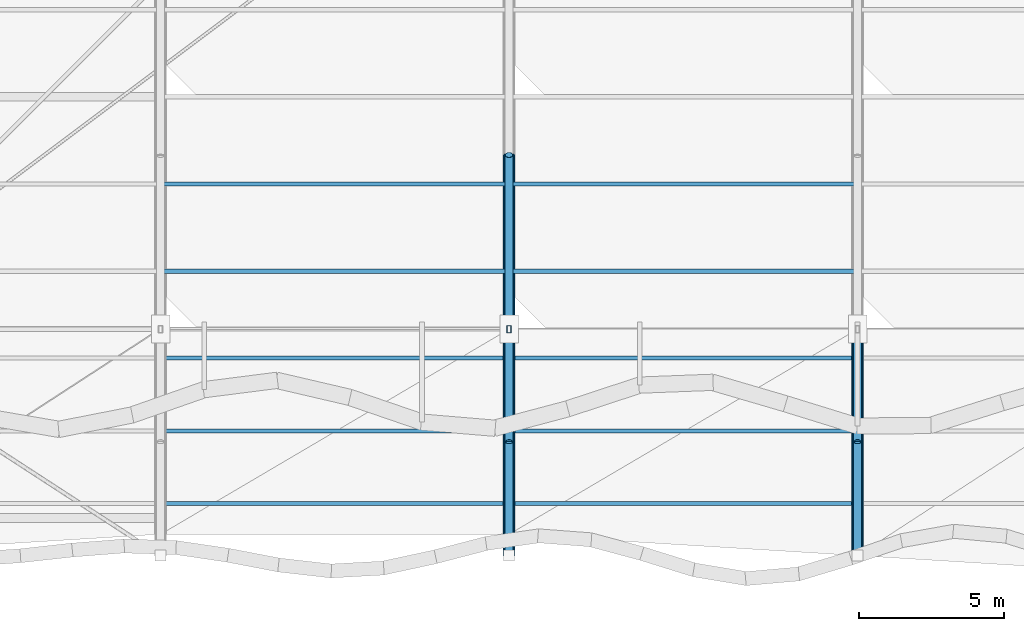
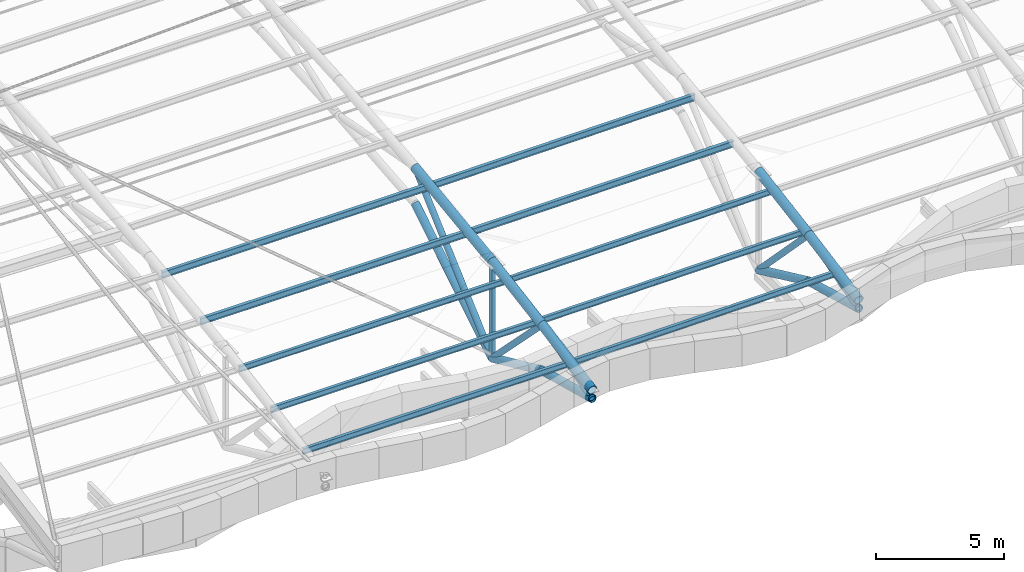
# One storey, part 7 of 29: 26 members.
"""IFC4 building model written with IfcOpenShell, lengths in metres."""

from ifc_helpers import new_model, si_unit, direction, frame, origin, origin_2d, place, context, subcontext, project, spatial, hollow_rectangle, hollow_circle, i_section, extrude, material, material_profile, profile_set, type_object, element, save


model = new_model("IFC4")

# Units and contexts
model_context = context("Model", 3, precision=1e-05, world=origin(), true_north=direction((0.0, 1.0)))
body_context = subcontext(model_context, "Body", "Model", "MODEL_VIEW")
ifc_project = project(units=[si_unit("LENGTHUNIT", "METRE"), si_unit("AREAUNIT", "SQUARE_METRE"), si_unit("VOLUMEUNIT", "CUBIC_METRE"), si_unit("PLANEANGLEUNIT", "RADIAN"), si_unit("MASSUNIT", "GRAM", prefix="KILO")], contexts=[model_context])

# Site, building, storey
site_placement = place(None, origin())
site = spatial("IfcSite", under=ifc_project, at=site_placement, CompositionType="ELEMENT")
building_placement = place(site_placement, origin())
building = spatial("IfcBuilding", under=site, at=building_placement, Name="Keelwater Ferry Terminal", CompositionType="ELEMENT")
storey_placement = place(building_placement, frame((0.0, 0.0, 27.89990234375)))
storey = spatial("IfcBuildingStorey", under=building, at=storey_placement, Name="RF", CompositionType="ELEMENT", Elevation=27.89990234375)

# Members
ifc_material_1 = material(Name="Steel S355", Category="steel")
ifc_material_profile_1 = material_profile(ifc_material_1, hollow_circle(Radius=0.136474609375, WallThickness=0.012451171875, at=origin_2d()), Name="CHS 273x12.5")
ifc_profile_set_1 = profile_set([ifc_material_profile_1], Name="Steel S355")
member_type_1 = type_object("IfcMemberType", Name="BR2 CHS 273x12.5", PredefinedType="BRACE", material=ifc_profile_set_1)
member_1_placement = place(storey_placement, frame((72.0, 42.0, -13.0498046875), z_axis=(0.0, 0.742563535774, 0.669775630595), x_axis=(-1.0, 0.0, 0.0)))
element("IfcMember", 1, at=member_1_placement, inside=storey, type_object=member_type_1, Name="Structural Member MB-RF-0075", PredefinedType="BRACE", context=body_context, shape_type="SweptSolid", body=[
    extrude(hollow_circle(Radius=0.136474609375, WallThickness=0.012451171875, at=origin_2d()), origin(), (0.0, 0.0, 1.0), 8.080078125),
])
ifc_material_2 = material(Name="Steel S355", Category="steel")
ifc_material_profile_2 = material_profile(ifc_material_2, hollow_circle(Radius=0.136474609375, WallThickness=0.012451171875, at=origin_2d()), Name="CHS 273x12.5")
ifc_profile_set_2 = profile_set([ifc_material_profile_2], Name="Steel S355")
member_type_2 = type_object("IfcMemberType", Name="BR2E CHS 273x12.5", PredefinedType="BRACE", material=ifc_profile_set_2)
member_2_placement = place(storey_placement, frame((72.0, 34.199951171875, -10.245849609375), z_axis=(0.0, 0.959309065387, 0.282358136178), x_axis=(-1.0, 0.0, 0.0)))
element("IfcMember", 2, at=member_2_placement, inside=storey, type_object=member_type_2, Name="Structural Member MB-RF-0069", PredefinedType="BRACE", context=body_context, shape_type="SweptSolid", body=[
    extrude(hollow_circle(Radius=0.136474609375, WallThickness=0.012451171875, at=origin_2d()), origin(), (0.0, 0.0, 1.0), 4.065673828125),
])
member_3_placement = place(storey_placement, frame((72.0, 38.10009765625, -9.097900390625), z_axis=(0.0, 0.702408258848, -0.711774288593), x_axis=(-1.0, 0.0, 0.0)))
element("IfcMember", 3, at=member_3_placement, inside=storey, type_object=member_type_2, Name="Structural Member MB-RF-0072", PredefinedType="BRACE", context=body_context, shape_type="SweptSolid", body=[
    extrude(hollow_circle(Radius=0.136474609375, WallThickness=0.012451171875, at=origin_2d()), origin(), (0.0, 0.0, 1.0), 5.55224609375),
])
member_4_placement = place(storey_placement, frame((84.0, 34.199951171875, -10.162841796875), z_axis=(0.0, 0.959309065387, 0.282358136178), x_axis=(-1.0, 0.0, 0.0)))
element("IfcMember", 4, at=member_4_placement, inside=storey, type_object=member_type_2, Name="Structural Member MB-RF-0101", PredefinedType="BRACE", context=body_context, shape_type="SweptSolid", body=[
    extrude(hollow_circle(Radius=0.136474609375, WallThickness=0.012451171875, at=origin_2d()), origin(), (0.0, 0.0, 1.0), 4.065673828125),
])
member_5_placement = place(storey_placement, frame((84.0, 38.10009765625, -9.014892578125), z_axis=(0.0, 0.694974865293, -0.719034030218), x_axis=(-1.0, 0.0, 0.0)))
element("IfcMember", 5, at=member_5_placement, inside=storey, type_object=member_type_2, Name="Structural Member MB-RF-0104", PredefinedType="BRACE", context=body_context, shape_type="SweptSolid", body=[
    extrude(hollow_circle(Radius=0.136474609375, WallThickness=0.012451171875, at=origin_2d()), origin(), (0.0, 0.0, 1.0), 5.611572265625),
])
ifc_material_3 = material(Name="Steel S355", Category="steel")
ifc_material_profile_3 = material_profile(ifc_material_3, hollow_rectangle(XDim=0.14990234375, YDim=0.25, WallThickness=0.010009765625, at=origin_2d()), Name="RHS 250x150x10")
ifc_profile_set_3 = profile_set([ifc_material_profile_3], Name="Steel S355")
member_type_3 = type_object("IfcMemberType", Name="BR5 RHS 250x150x10", PredefinedType="BRACE", material=ifc_profile_set_3)
member_6_placement = place(storey_placement, frame((72.0, 42.0, -13.0498046875), z_axis=(0.0, 0.0, 1.0), x_axis=(1.0, 0.0, 0.0)))
element("IfcMember", 6, at=member_6_placement, inside=storey, type_object=member_type_3, Name="Structural Member MB-RF-0065", PredefinedType="BRACE", context=body_context, shape_type="SweptSolid", body=[
    extrude(hollow_rectangle(XDim=0.14990234375, YDim=0.25, WallThickness=0.010009765625, at=origin_2d()), origin(), (0.0, 0.0, 1.0), 4.601806640625),
])
ifc_material_4 = material(Name="Steel S355", Category="steel")
ifc_material_profile_4 = material_profile(ifc_material_4, i_section(OverallWidth=0.14990234375, OverallDepth=0.300048828125, WebThickness=0.007080078125, FlangeThickness=0.0107421875, at=origin_2d()), Name="IPE 300")
ifc_profile_set_4 = profile_set([ifc_material_profile_4], Name="Steel S355")
member_type_4 = type_object("IfcMemberType", Name="PR1 IPE 300", PredefinedType="PURLIN", material=ifc_profile_set_4)
for number, where, z_axis, x_axis, name in (
    (7, (60.0, 44.0, -8.307861328125), (0.999999303785, 0.0, -0.001180012199), (0.0, 1.0, 0.0), "Structural Member MB-RF-0275"),
    (8, (60.0, 47.0, -7.912841796875), (0.999999303785, 0.0, -0.001180012199), (0.0, 1.0, 0.0), "Structural Member MB-RF-0276"),
):
    element("IfcMember", number, at=place(storey_placement, frame(where, z_axis=z_axis, x_axis=x_axis)), inside=storey, type_object=member_type_4, Name=name, PredefinedType="PURLIN", context=body_context, shape_type="SweptSolid", body=[
        extrude(i_section(OverallWidth=0.14990234375, OverallDepth=0.300048828125, WebThickness=0.007080078125, FlangeThickness=0.0107421875, at=origin_2d()), origin(), (0.0, 0.0, 1.0), 12.0),
    ])
for number, where, z_axis, x_axis, name in (
    (9, (72.0, 44.0, -8.322021484375), (0.999976635798, 0.0, 0.006835777784), (0.0, 1.0, 0.0), "Structural Member MB-RF-0294"),
    (10, (72.0, 47.0, -7.927001953125), (0.999976635798, 0.0, 0.006835777784), (0.0, 1.0, 0.0), "Structural Member MB-RF-0295"),
):
    element("IfcMember", number, at=place(storey_placement, frame(where, z_axis=z_axis, x_axis=x_axis)), inside=storey, type_object=member_type_4, Name=name, PredefinedType="PURLIN", context=body_context, shape_type="SweptSolid", body=[
        extrude(i_section(OverallWidth=0.14990234375, OverallDepth=0.300048828125, WebThickness=0.007080078125, FlangeThickness=0.0107421875, at=origin_2d()), origin(), (0.0, 0.0, 1.0), 12.000244140625),
    ])
ifc_material_5 = material(Name="Steel S355", Category="steel")
ifc_material_profile_5 = material_profile(ifc_material_5, i_section(OverallWidth=0.135009765625, OverallDepth=0.27001953125, WebThickness=0.006591796875, FlangeThickness=0.01025390625, at=origin_2d()), Name="IPE 270")
ifc_profile_set_5 = profile_set([ifc_material_profile_5], Name="Steel S355")
member_type_5 = type_object("IfcMemberType", Name="PR2E IPE 270", PredefinedType="PURLIN", material=ifc_profile_set_5)
for number, where, z_axis, x_axis, name in (
    (11, (60.0, 36.0, -9.643798828125), (0.999999303785, 0.0, -0.001180012199), (0.0, 1.0, 0.0), "Structural Member MB-RF-0272"),
    (12, (60.0, 38.5, -9.181884765625), (0.999999204445, 0.0, -0.001261392226), (0.0, 1.0, 0.0), "Structural Member MB-RF-0273"),
    (13, (60.0, 41.0, -8.760986328125), (0.999999327586, 0.0, -0.001159667189), (0.0, 1.0, 0.0), "Structural Member MB-RF-0274"),
):
    element("IfcMember", number, at=place(storey_placement, frame(where, z_axis=z_axis, x_axis=x_axis)), inside=storey, type_object=member_type_5, Name=name, PredefinedType="PURLIN", context=body_context, shape_type="SweptSolid", body=[
        extrude(i_section(OverallWidth=0.135009765625, OverallDepth=0.27001953125, WebThickness=0.006591796875, FlangeThickness=0.01025390625, at=origin_2d()), origin(), (0.0, 0.0, 1.0), 12.0),
    ])
for number, where, z_axis, x_axis, name in (
    (14, (72.0, 36.0, -9.657958984375), (0.999976635798, 0.0, 0.006835777784), (0.0, 1.0, 0.0), "Structural Member MB-RF-0291"),
    (15, (72.0, 38.5, -9.197021484375), (0.999976076216, 0.0, 0.00691715222), (0.0, 1.0, 0.0), "Structural Member MB-RF-0292"),
    (16, (72.0, 41.0, -8.77490234375), (0.999976635798, 0.0, 0.006835777784), (0.0, 1.0, 0.0), "Structural Member MB-RF-0293"),
):
    element("IfcMember", number, at=place(storey_placement, frame(where, z_axis=z_axis, x_axis=x_axis)), inside=storey, type_object=member_type_5, Name=name, PredefinedType="PURLIN", context=body_context, shape_type="SweptSolid", body=[
        extrude(i_section(OverallWidth=0.135009765625, OverallDepth=0.27001953125, WebThickness=0.006591796875, FlangeThickness=0.01025390625, at=origin_2d()), origin(), (0.0, 0.0, 1.0), 12.000244140625),
    ])
ifc_material_6 = material(Name="Steel S355", Category="steel")
ifc_material_profile_6 = material_profile(ifc_material_6, hollow_circle(Radius=0.203125, WallThickness=0.01611328125, at=origin_2d()), Name="CHS 406.4x16")
ifc_profile_set_6 = profile_set([ifc_material_profile_6], Name="Steel S355")
member_type_6 = type_object("IfcMemberType", Name="TC1 CHS 406.4x16", PredefinedType="CHORD", material=ifc_profile_set_6)
member_7_placement = place(storey_placement, frame((72.0, 42.0, -8.447998046875), z_axis=(0.0, 0.991008911296, 0.133795880846), x_axis=(-1.0, 0.0, 0.0)))
element("IfcMember", 17, at=member_7_placement, inside=storey, type_object=member_type_6, Name="Structural Member MB-RF-0073", PredefinedType="CHORD", context=body_context, shape_type="SweptSolid", body=[
    extrude(hollow_circle(Radius=0.203125, WallThickness=0.01611328125, at=origin_2d()), origin(), (0.0, 0.0, 1.0), 6.054443359375),
])
ifc_material_7 = material(Name="Steel S355", Category="steel")
ifc_material_profile_7 = material_profile(ifc_material_7, hollow_circle(Radius=0.203125, WallThickness=0.01611328125, at=origin_2d()), Name="CHS 406.4x16")
ifc_profile_set_7 = profile_set([ifc_material_profile_7], Name="Steel S355")
member_type_7 = type_object("IfcMemberType", Name="TC1E CHS 406.4x16", PredefinedType="CHORD", material=ifc_profile_set_7)
member_8_placement = place(storey_placement, frame((72.0, 34.199951171875, -9.845947265625), z_axis=(0.0, 0.982098851925, 0.188366252413), x_axis=(-1.0, 0.0, 0.0)))
element("IfcMember", 18, at=member_8_placement, inside=storey, type_object=member_type_7, Name="Structural Member MB-RF-0067", PredefinedType="CHORD", context=body_context, shape_type="SweptSolid", body=[
    extrude(hollow_circle(Radius=0.203125, WallThickness=0.01611328125, at=origin_2d()), origin(), (0.0, 0.0, 1.0), 3.97119140625),
])
member_9_placement = place(storey_placement, frame((72.0, 38.10009765625, -9.097900390625), z_axis=(0.0, 0.986397261476, 0.164378960188), x_axis=(-1.0, 0.0, 0.0)))
element("IfcMember", 19, at=member_9_placement, inside=storey, type_object=member_type_7, Name="Structural Member MB-RF-0070", PredefinedType="CHORD", context=body_context, shape_type="SweptSolid", body=[
    extrude(hollow_circle(Radius=0.203125, WallThickness=0.01611328125, at=origin_2d()), origin(), (0.0, 0.0, 1.0), 3.95361328125),
])
member_10_placement = place(storey_placement, frame((84.0, 34.199951171875, -9.762939453125), z_axis=(0.0, 0.982098851925, 0.188366252413), x_axis=(-1.0, 0.0, 0.0)))
element("IfcMember", 20, at=member_10_placement, inside=storey, type_object=member_type_7, Name="Structural Member MB-RF-0099", PredefinedType="CHORD", context=body_context, shape_type="SweptSolid", body=[
    extrude(hollow_circle(Radius=0.203125, WallThickness=0.01611328125, at=origin_2d()), origin(), (0.0, 0.0, 1.0), 3.97119140625),
])
member_11_placement = place(storey_placement, frame((84.0, 38.10009765625, -9.014892578125), z_axis=(0.0, 0.986397261476, 0.164378960188), x_axis=(-1.0, 0.0, 0.0)))
element("IfcMember", 21, at=member_11_placement, inside=storey, type_object=member_type_7, Name="Structural Member MB-RF-0102", PredefinedType="CHORD", context=body_context, shape_type="SweptSolid", body=[
    extrude(hollow_circle(Radius=0.203125, WallThickness=0.01611328125, at=origin_2d()), origin(), (0.0, 0.0, 1.0), 3.95361328125),
])
ifc_material_8 = material(Name="Steel S355", Category="steel")
ifc_material_profile_8 = material_profile(ifc_material_8, hollow_circle(Radius=0.177734375, WallThickness=0.01611328125, at=origin_2d()), Name="CHS 355.6x16")
ifc_profile_set_8 = profile_set([ifc_material_profile_8], Name="Steel S355")
member_type_8 = type_object("IfcMemberType", Name="TC2 CHS 355.6x16", PredefinedType="CHORD", material=ifc_profile_set_8)
member_12_placement = place(storey_placement, frame((72.0, 42.0, -13.0498046875), z_axis=(0.0, 0.850415552082, 0.526111574457), x_axis=(-1.0, 0.0, 0.0)))
element("IfcMember", 22, at=member_12_placement, inside=storey, type_object=member_type_8, Name="Structural Member MB-RF-0074", PredefinedType="CHORD", context=body_context, shape_type="SweptSolid", body=[
    extrude(hollow_circle(Radius=0.177734375, WallThickness=0.01611328125, at=origin_2d()), origin(), (0.0, 0.0, 1.0), 7.055419921875),
])
ifc_material_9 = material(Name="Steel S355", Category="steel")
ifc_material_profile_9 = material_profile(ifc_material_9, hollow_circle(Radius=0.177734375, WallThickness=0.01611328125, at=origin_2d()), Name="CHS 355.6x16")
ifc_profile_set_9 = profile_set([ifc_material_profile_9], Name="Steel S355")
member_type_9 = type_object("IfcMemberType", Name="TC2E CHS 355.6x16", PredefinedType="CHORD", material=ifc_profile_set_9)
member_13_placement = place(storey_placement, frame((72.0, 34.199951171875, -10.245849609375), z_axis=(0.0, 0.966969389537, -0.25489252578), x_axis=(-1.0, 0.0, 0.0)))
element("IfcMember", 23, at=member_13_placement, inside=storey, type_object=member_type_9, Name="Structural Member MB-RF-0068", PredefinedType="CHORD", context=body_context, shape_type="SweptSolid", body=[
    extrude(hollow_circle(Radius=0.177734375, WallThickness=0.01611328125, at=origin_2d()), origin(), (0.0, 0.0, 1.0), 4.033447265625),
])
member_14_placement = place(storey_placement, frame((72.0, 38.10009765625, -11.27392578125), z_axis=(0.0, 0.910085305311, -0.414420965997), x_axis=(-1.0, 0.0, 0.0)))
element("IfcMember", 24, at=member_14_placement, inside=storey, type_object=member_type_9, Name="Structural Member MB-RF-0071", PredefinedType="CHORD", context=body_context, shape_type="SweptSolid", body=[
    extrude(hollow_circle(Radius=0.177734375, WallThickness=0.01611328125, at=origin_2d()), origin(), (0.0, 0.0, 1.0), 4.28515625),
])
member_15_placement = place(storey_placement, frame((84.0, 34.199951171875, -10.162841796875), z_axis=(0.0, 0.964423082195, -0.26436361045), x_axis=(-1.0, 0.0, 0.0)))
element("IfcMember", 25, at=member_15_placement, inside=storey, type_object=member_type_9, Name="Structural Member MB-RF-0100", PredefinedType="CHORD", context=body_context, shape_type="SweptSolid", body=[
    extrude(hollow_circle(Radius=0.177734375, WallThickness=0.01611328125, at=origin_2d()), origin(), (0.0, 0.0, 1.0), 4.0439453125),
])
member_16_placement = place(storey_placement, frame((84.0, 38.10009765625, -11.23193359375), z_axis=(0.0, 0.906368597498, -0.422487828782), x_axis=(-1.0, 0.0, 0.0)))
element("IfcMember", 26, at=member_16_placement, inside=storey, type_object=member_type_9, Name="Structural Member MB-RF-0103", PredefinedType="CHORD", context=body_context, shape_type="SweptSolid", body=[
    extrude(hollow_circle(Radius=0.177734375, WallThickness=0.01611328125, at=origin_2d()), origin(), (0.0, 0.0, 1.0), 4.302734375),
])

save(model, "model.ifc")
